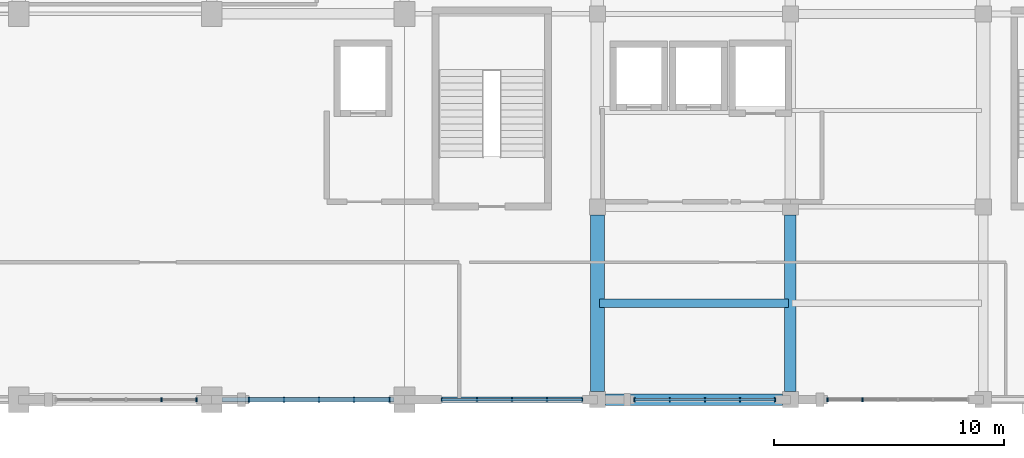
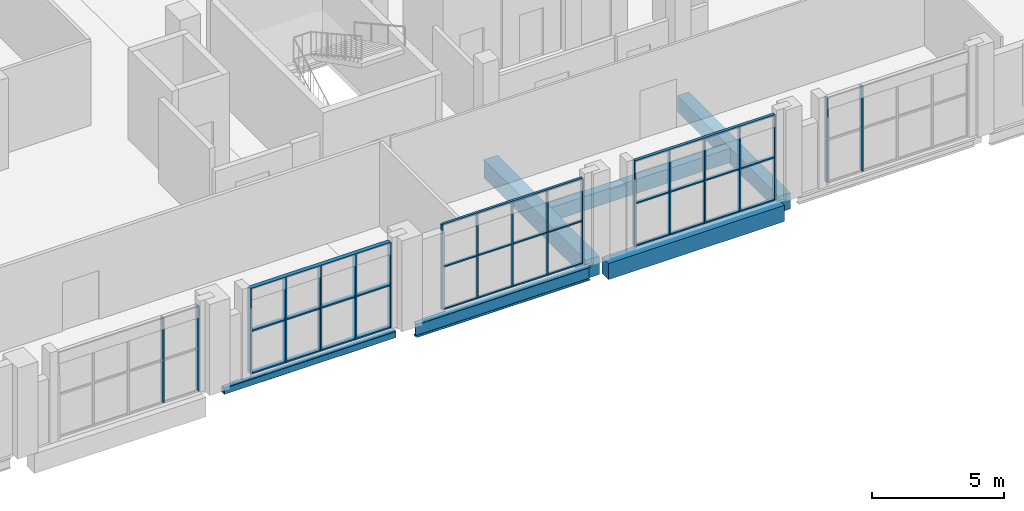
# One storey, part 19 of 64: 28 members, 6 beams, 5 elements without a shape of their own.
"""IFC4 building model written with IfcOpenShell, lengths in metres."""

from ifc_helpers import new_model, si_unit, derived_unit, direction, frame, origin, origin_2d, place, context, subcontext, project, spatial, rectangle, hollow_rectangle, i_section, extrude, material, material_profile, profile_set, type_object, element, aggregate, save


model = new_model("IFC4")

# Units and contexts
model_context = context("Model", 3, precision=1e-05, world=origin(), true_north=direction((0.0, 1.0)))
body_context = subcontext(model_context, "Body", "Model", "MODEL_VIEW")
ifc_project = project(units=[si_unit("LENGTHUNIT", "METRE"), si_unit("AREAUNIT", "SQUARE_METRE"), si_unit("VOLUMEUNIT", "CUBIC_METRE"), si_unit("PLANEANGLEUNIT", "RADIAN"), si_unit("MASSUNIT", "GRAM", prefix="KILO"), derived_unit("THERMALTRANSMITTANCEUNIT", [(si_unit("POWERUNIT", "WATT"), 1), (si_unit("LENGTHUNIT", "METRE"), -2), (si_unit("THERMODYNAMICTEMPERATUREUNIT", "KELVIN"), -1)])], contexts=[model_context])

# Site, building, storey
site_placement = place(None, origin())
site = spatial("IfcSite", under=ifc_project, at=site_placement, CompositionType="ELEMENT")
building_placement = place(site_placement, origin())
building = spatial("IfcBuilding", under=site, at=building_placement, Name="Barrovel Congress Hotel", CompositionType="ELEMENT")
storey_placement = place(building_placement, frame((0.0, 0.0, 14.10009765625)))
storey = spatial("IfcBuildingStorey", under=building, at=storey_placement, Name="L03", CompositionType="ELEMENT", Elevation=14.10009765625)

# Beams
ifc_material_1 = material(Name="Concrete C40", Category="concrete")
ifc_material_profile_1 = material_profile(ifc_material_1, rectangle(XDim=0.35009765625, YDim=0.64990234375, at=origin_2d()), Name="RC350x650")
ifc_profile_set_1 = profile_set([ifc_material_profile_1], Name="Concrete C40")
beam_type_1 = type_object("IfcBeamType", Name="BM-RC350x650", PredefinedType="JOIST", material=ifc_profile_set_1)
beam_1_placement = place(storey_placement, frame((84.080078125, 8.39990234375, -0.565185546875), z_axis=(1.0, 0.0, 0.0), x_axis=(0.0, 1.0, 0.0)))
element("IfcBeam", 1, at=beam_1_placement, inside=storey, type_object=beam_type_1, Name="JST:L03:84.0:8.4", PredefinedType="JOIST", context=body_context, shape_type="SweptSolid", body=[
    extrude(rectangle(XDim=0.35009765625, YDim=0.64990234375, at=origin_2d()), origin(), (0.0, 0.0, 1.0), 8.239990234375),
])
ifc_material_profile_2 = material_profile(ifc_material_1, rectangle(XDim=0.5, YDim=0.75, at=origin_2d()), Name="RC500x750")
ifc_profile_set_2 = profile_set([ifc_material_profile_2], Name="Concrete C40")
beam_type_2 = type_object("IfcBeamType", Name="BM-RC500x750", PredefinedType="BEAM", material=ifc_profile_set_2)
for number, where, z_axis, x_axis, name in (
    (2, (84.35009765625, 4.199951171875, -0.614990234375), (1.0, 0.0, 0.0), (0.0, 1.0, 0.0), "BMX:L03:4.2:84.0-92.4"),
    (3, (92.39990234375, 4.550048828125, -0.614990234375), (0.0, 1.0, 0.0), (-1.0, 0.0, 0.0), "BMY:L03:92.4:4.2-12.6"),
):
    element("IfcBeam", number, at=place(storey_placement, frame(where, z_axis=z_axis, x_axis=x_axis)), inside=storey, type_object=beam_type_2, Name=name, PredefinedType="BEAM", context=body_context, shape_type="SweptSolid", body=[
        extrude(rectangle(XDim=0.5, YDim=0.75, at=origin_2d()), origin(), (0.0, 0.0, 1.0), 7.699951171875),
    ])
ifc_material_profile_3 = material_profile(ifc_material_1, rectangle(XDim=0.60009765625, YDim=0.85009765625, at=origin_2d()), Name="RC600x850")
ifc_profile_set_3 = profile_set([ifc_material_profile_3], Name="Concrete C40")
beam_type_3 = type_object("IfcBeamType", Name="BM-RC600x850", PredefinedType="BEAM", material=ifc_profile_set_3)
beam_2_placement = place(storey_placement, frame((84.0, 4.550048828125, -0.6650390625), z_axis=(0.0, 1.0, 0.0), x_axis=(-1.0, 0.0, 0.0)))
element("IfcBeam", 4, at=beam_2_placement, inside=storey, type_object=beam_type_3, Name="BMY:L03:84.0:4.2-12.6", PredefinedType="BEAM", context=body_context, shape_type="SweptSolid", body=[
    extrude(rectangle(XDim=0.60009765625, YDim=0.85009765625, at=origin_2d()), origin(), (0.0, 0.0, 1.0), 7.699951171875),
])

# Curtain wall, members
ifc_material_2 = material(Name="Anodised Aluminium Alloy 6063-T6", Category="aluminium")
curtain_wall_type = type_object("IfcCurtainWallType", Name="CW-ST-7200x3600", PredefinedType="USERDEFINED", material=ifc_material_2)
curtain_wall_1_placement = place(storey_placement, origin())
curtain_wall_1 = element("IfcCurtainWall", 5, at=curtain_wall_1_placement, inside=storey, type_object=curtain_wall_type, Name="CW:L03:S:09", ObjectType="STICK CURTAIN WALL", PredefinedType="USERDEFINED")
ifc_material_profile_4 = material_profile(ifc_material_2, rectangle(XDim=0.06005859375, YDim=0.139892578125, at=origin_2d()), Name="AL-M60x140")
ifc_profile_set_4 = profile_set([ifc_material_profile_4], Name="Anodised Aluminium Alloy 6063-T6")
member_type_1 = type_object("IfcMemberType", Name="CWM-AL-M60x140", PredefinedType="MULLION", material=ifc_profile_set_4)
member_1_placement = place(storey_placement, frame((77.219970703125, 4.199951171875, 0.0), z_axis=(0.0, 0.0, 1.0), x_axis=(1.0, 0.0, 0.0)))
member_1 = element("IfcMember", 6, at=member_1_placement, type_object=member_type_1, Name="CW:L03:S:09:M0", PredefinedType="MULLION", context=body_context, shape_type="SweptSolid", body=[
    extrude(rectangle(XDim=0.06005859375, YDim=0.139892578125, at=origin_2d()), origin(), (0.0, 0.0, 1.0), 3.919921875),
])
member_2_placement = place(storey_placement, frame((78.75, 4.199951171875, 0.0), z_axis=(0.0, 0.0, 1.0), x_axis=(1.0, 0.0, 0.0)))
member_2 = element("IfcMember", 7, at=member_2_placement, type_object=member_type_1, Name="CW:L03:S:09:M1", PredefinedType="MULLION", context=body_context, shape_type="SweptSolid", body=[
    extrude(rectangle(XDim=0.06005859375, YDim=0.139892578125, at=origin_2d()), origin(), (0.0, 0.0, 1.0), 3.919921875),
])
member_3_placement = place(storey_placement, frame((80.280029296875, 4.199951171875, 0.0), z_axis=(0.0, 0.0, 1.0), x_axis=(1.0, 0.0, 0.0)))
member_3 = element("IfcMember", 8, at=member_3_placement, type_object=member_type_1, Name="CW:L03:S:09:M2", PredefinedType="MULLION", context=body_context, shape_type="SweptSolid", body=[
    extrude(rectangle(XDim=0.06005859375, YDim=0.139892578125, at=origin_2d()), origin(), (0.0, 0.0, 1.0), 3.919921875),
])
member_4_placement = place(storey_placement, frame((81.81005859375, 4.199951171875, 0.0), z_axis=(0.0, 0.0, 1.0), x_axis=(1.0, 0.0, 0.0)))
member_4 = element("IfcMember", 9, at=member_4_placement, type_object=member_type_1, Name="CW:L03:S:09:M3", PredefinedType="MULLION", context=body_context, shape_type="SweptSolid", body=[
    extrude(rectangle(XDim=0.06005859375, YDim=0.139892578125, at=origin_2d()), origin(), (0.0, 0.0, 1.0), 3.919921875),
])
member_5_placement = place(storey_placement, frame((83.340087890625, 4.199951171875, 0.0), z_axis=(0.0, 0.0, 1.0), x_axis=(1.0, 0.0, 0.0)))
member_5 = element("IfcMember", 10, at=member_5_placement, type_object=member_type_1, Name="CW:L03:S:09:M4", PredefinedType="MULLION", context=body_context, shape_type="SweptSolid", body=[
    extrude(rectangle(XDim=0.06005859375, YDim=0.139892578125, at=origin_2d()), origin(), (0.0, 0.0, 1.0), 3.919921875),
])

curtain_wall_2_placement = place(storey_placement, origin())
curtain_wall_2 = element("IfcCurtainWall", 11, at=curtain_wall_2_placement, inside=storey, type_object=curtain_wall_type, Name="CW:L03:S:10", ObjectType="STICK CURTAIN WALL", PredefinedType="USERDEFINED")
ifc_material_profile_5 = material_profile(ifc_material_2, rectangle(XDim=0.06005859375, YDim=0.1650390625, at=origin_2d()), Name="AL-M60x165")
ifc_profile_set_5 = profile_set([ifc_material_profile_5], Name="Anodised Aluminium Alloy 6063-T6")
member_type_2 = type_object("IfcMemberType", Name="CWM-AL-M60x165", PredefinedType="MULLION", material=ifc_profile_set_5)
member_6_placement = place(storey_placement, frame((85.6201171875, 4.199951171875, 0.0), z_axis=(0.0, 0.0, 1.0), x_axis=(1.0, 0.0, 0.0)))
member_6 = element("IfcMember", 12, at=member_6_placement, type_object=member_type_2, Name="CW:L03:S:10:M0", PredefinedType="MULLION", context=body_context, shape_type="SweptSolid", body=[
    extrude(rectangle(XDim=0.06005859375, YDim=0.1650390625, at=origin_2d()), origin(), (0.0, 0.0, 1.0), 3.919921875),
])
member_7_placement = place(storey_placement, frame((87.14990234375, 4.199951171875, 0.0), z_axis=(0.0, 0.0, 1.0), x_axis=(1.0, 0.0, 0.0)))
member_7 = element("IfcMember", 13, at=member_7_placement, type_object=member_type_2, Name="CW:L03:S:10:M1", PredefinedType="MULLION", context=body_context, shape_type="SweptSolid", body=[
    extrude(rectangle(XDim=0.06005859375, YDim=0.1650390625, at=origin_2d()), origin(), (0.0, 0.0, 1.0), 3.919921875),
])
member_8_placement = place(storey_placement, frame((88.679931640625, 4.199951171875, 0.0), z_axis=(0.0, 0.0, 1.0), x_axis=(1.0, 0.0, 0.0)))
member_8 = element("IfcMember", 14, at=member_8_placement, type_object=member_type_2, Name="CW:L03:S:10:M2", PredefinedType="MULLION", context=body_context, shape_type="SweptSolid", body=[
    extrude(rectangle(XDim=0.06005859375, YDim=0.1650390625, at=origin_2d()), origin(), (0.0, 0.0, 1.0), 3.919921875),
])
member_9_placement = place(storey_placement, frame((90.2099609375, 4.199951171875, 0.0), z_axis=(0.0, 0.0, 1.0), x_axis=(1.0, 0.0, 0.0)))
member_9 = element("IfcMember", 15, at=member_9_placement, type_object=member_type_2, Name="CW:L03:S:10:M3", PredefinedType="MULLION", context=body_context, shape_type="SweptSolid", body=[
    extrude(rectangle(XDim=0.06005859375, YDim=0.1650390625, at=origin_2d()), origin(), (0.0, 0.0, 1.0), 3.919921875),
])
member_10_placement = place(storey_placement, frame((91.739990234375, 4.199951171875, 0.0), z_axis=(0.0, 0.0, 1.0), x_axis=(1.0, 0.0, 0.0)))
member_10 = element("IfcMember", 16, at=member_10_placement, type_object=member_type_2, Name="CW:L03:S:10:M4", PredefinedType="MULLION", context=body_context, shape_type="SweptSolid", body=[
    extrude(rectangle(XDim=0.06005859375, YDim=0.1650390625, at=origin_2d()), origin(), (0.0, 0.0, 1.0), 3.919921875),
])

curtain_wall_3_placement = place(storey_placement, origin())
curtain_wall_3 = element("IfcCurtainWall", 17, at=curtain_wall_3_placement, inside=storey, type_object=curtain_wall_type, Name="CW:L03:S:07", ObjectType="STICK CURTAIN WALL", PredefinedType="USERDEFINED")
ifc_material_profile_6 = material_profile(ifc_material_2, rectangle(XDim=0.06494140625, YDim=0.18994140625, at=origin_2d()), Name="AL-M65x190")
ifc_profile_set_6 = profile_set([ifc_material_profile_6], Name="Anodised Aluminium Alloy 6063-T6")
member_type_3 = type_object("IfcMemberType", Name="CWM-AL-M65x190", PredefinedType="MULLION", material=ifc_profile_set_6)
member_11_placement = place(storey_placement, frame((65.010009765625, 4.199951171875, 0.0), z_axis=(0.0, 0.0, 1.0), x_axis=(1.0, 0.0, 0.0)))
member_11 = element("IfcMember", 18, at=member_11_placement, type_object=member_type_3, Name="CW:L03:S:07:M3", PredefinedType="MULLION", context=body_context, shape_type="SweptSolid", body=[
    extrude(rectangle(XDim=0.06494140625, YDim=0.18994140625, at=origin_2d()), origin(), (0.0, 0.0, 1.0), 3.919921875),
])
member_12_placement = place(storey_placement, frame((66.5400390625, 4.199951171875, 0.0), z_axis=(0.0, 0.0, 1.0), x_axis=(1.0, 0.0, 0.0)))
member_12 = element("IfcMember", 19, at=member_12_placement, type_object=member_type_3, Name="CW:L03:S:07:M4", PredefinedType="MULLION", context=body_context, shape_type="SweptSolid", body=[
    extrude(rectangle(XDim=0.06494140625, YDim=0.18994140625, at=origin_2d()), origin(), (0.0, 0.0, 1.0), 3.919921875),
])
aggregate(curtain_wall_3, [member_11, member_12])

curtain_wall_4_placement = place(storey_placement, origin())
curtain_wall_4 = element("IfcCurtainWall", 20, at=curtain_wall_4_placement, inside=storey, type_object=curtain_wall_type, Name="CW:L03:S:11", ObjectType="STICK CURTAIN WALL", PredefinedType="USERDEFINED")
member_13_placement = place(storey_placement, frame((94.02001953125, 4.199951171875, 0.0), z_axis=(0.0, 0.0, 1.0), x_axis=(1.0, 0.0, 0.0)))
member_13 = element("IfcMember", 21, at=member_13_placement, type_object=member_type_3, Name="CW:L03:S:11:M0", PredefinedType="MULLION", context=body_context, shape_type="SweptSolid", body=[
    extrude(rectangle(XDim=0.06494140625, YDim=0.18994140625, at=origin_2d()), origin(), (0.0, 0.0, 1.0), 3.919921875),
])
member_14_placement = place(storey_placement, frame((95.550048828125, 4.199951171875, 0.0), z_axis=(0.0, 0.0, 1.0), x_axis=(1.0, 0.0, 0.0)))
member_14 = element("IfcMember", 22, at=member_14_placement, type_object=member_type_3, Name="CW:L03:S:11:M1", PredefinedType="MULLION", context=body_context, shape_type="SweptSolid", body=[
    extrude(rectangle(XDim=0.06494140625, YDim=0.18994140625, at=origin_2d()), origin(), (0.0, 0.0, 1.0), 3.919921875),
])
aggregate(curtain_wall_4, [member_13, member_14])

curtain_wall_5_placement = place(storey_placement, origin())
curtain_wall_5 = element("IfcCurtainWall", 23, at=curtain_wall_5_placement, inside=storey, type_object=curtain_wall_type, Name="CW:L03:S:08", ObjectType="STICK CURTAIN WALL", PredefinedType="USERDEFINED")
ifc_material_profile_7 = material_profile(ifc_material_2, rectangle(XDim=0.06494140625, YDim=0.219970703125, at=origin_2d()), Name="AL-M65x220")
ifc_profile_set_7 = profile_set([ifc_material_profile_7], Name="Anodised Aluminium Alloy 6063-T6")
member_type_4 = type_object("IfcMemberType", Name="CWM-AL-M65x220", PredefinedType="MULLION", material=ifc_profile_set_7)
member_15_placement = place(storey_placement, frame((68.820068359375, 4.199951171875, 0.0), z_axis=(0.0, 0.0, 1.0), x_axis=(1.0, 0.0, 0.0)))
member_15 = element("IfcMember", 24, at=member_15_placement, type_object=member_type_4, Name="CW:L03:S:08:M0", PredefinedType="MULLION", context=body_context, shape_type="SweptSolid", body=[
    extrude(rectangle(XDim=0.06494140625, YDim=0.219970703125, at=origin_2d()), origin(), (0.0, 0.0, 1.0), 3.919921875),
])
member_16_placement = place(storey_placement, frame((70.35009765625, 4.199951171875, 0.0), z_axis=(0.0, 0.0, 1.0), x_axis=(1.0, 0.0, 0.0)))
member_16 = element("IfcMember", 25, at=member_16_placement, type_object=member_type_4, Name="CW:L03:S:08:M1", PredefinedType="MULLION", context=body_context, shape_type="SweptSolid", body=[
    extrude(rectangle(XDim=0.06494140625, YDim=0.219970703125, at=origin_2d()), origin(), (0.0, 0.0, 1.0), 3.919921875),
])
member_17_placement = place(storey_placement, frame((71.8798828125, 4.199951171875, 0.0), z_axis=(0.0, 0.0, 1.0), x_axis=(1.0, 0.0, 0.0)))
member_17 = element("IfcMember", 26, at=member_17_placement, type_object=member_type_4, Name="CW:L03:S:08:M2", PredefinedType="MULLION", context=body_context, shape_type="SweptSolid", body=[
    extrude(rectangle(XDim=0.06494140625, YDim=0.219970703125, at=origin_2d()), origin(), (0.0, 0.0, 1.0), 3.919921875),
])
member_18_placement = place(storey_placement, frame((73.409912109375, 4.199951171875, 0.0), z_axis=(0.0, 0.0, 1.0), x_axis=(1.0, 0.0, 0.0)))
member_18 = element("IfcMember", 27, at=member_18_placement, type_object=member_type_4, Name="CW:L03:S:08:M3", PredefinedType="MULLION", context=body_context, shape_type="SweptSolid", body=[
    extrude(rectangle(XDim=0.06494140625, YDim=0.219970703125, at=origin_2d()), origin(), (0.0, 0.0, 1.0), 3.919921875),
])
member_19_placement = place(storey_placement, frame((74.93994140625, 4.199951171875, 0.0), z_axis=(0.0, 0.0, 1.0), x_axis=(1.0, 0.0, 0.0)))
member_19 = element("IfcMember", 28, at=member_19_placement, type_object=member_type_4, Name="CW:L03:S:08:M4", PredefinedType="MULLION", context=body_context, shape_type="SweptSolid", body=[
    extrude(rectangle(XDim=0.06494140625, YDim=0.219970703125, at=origin_2d()), origin(), (0.0, 0.0, 1.0), 3.919921875),
])

# Member
ifc_material_profile_8 = material_profile(ifc_material_2, rectangle(XDim=0.10498046875, YDim=0.06005859375, at=origin_2d()), Name="AL-T60x105")
ifc_profile_set_8 = profile_set([ifc_material_profile_8], Name="Anodised Aluminium Alloy 6063-T6")
member_type_5 = type_object("IfcMemberType", Name="CWT-AL-T60x105", PredefinedType="USERDEFINED", material=ifc_profile_set_8)
member_20_placement = place(storey_placement, frame((77.219970703125, 4.199951171875, 0.0), z_axis=(1.0, 0.0, 0.0), x_axis=(0.0, 1.0, 0.0)))
member_20 = element("IfcMember", 29, at=member_20_placement, type_object=member_type_5, Name="CW:L03:S:09:T0", ObjectType="TRANSOM", PredefinedType="USERDEFINED", context=body_context, shape_type="SweptSolid", body=[
    extrude(rectangle(XDim=0.10498046875, YDim=0.06005859375, at=origin_2d()), origin(), (0.0, 0.0, 1.0), 6.1201171875),
])

member_21_placement = place(storey_placement, frame((77.219970703125, 4.199951171875, 1.9599609375), z_axis=(1.0, 0.0, 0.0), x_axis=(0.0, 1.0, 0.0)))
member_21 = element("IfcMember", 30, at=member_21_placement, type_object=member_type_5, Name="CW:L03:S:09:T1", ObjectType="TRANSOM", PredefinedType="USERDEFINED", context=body_context, shape_type="SweptSolid", body=[
    extrude(rectangle(XDim=0.10498046875, YDim=0.06005859375, at=origin_2d()), origin(), (0.0, 0.0, 1.0), 6.1201171875),
])

member_22_placement = place(storey_placement, frame((77.219970703125, 4.199951171875, 3.919921875), z_axis=(1.0, 0.0, 0.0), x_axis=(0.0, 1.0, 0.0)))
member_22 = element("IfcMember", 31, at=member_22_placement, type_object=member_type_5, Name="CW:L03:S:09:T2", ObjectType="TRANSOM", PredefinedType="USERDEFINED", context=body_context, shape_type="SweptSolid", body=[
    extrude(rectangle(XDim=0.10498046875, YDim=0.06005859375, at=origin_2d()), origin(), (0.0, 0.0, 1.0), 6.1201171875),
])

aggregate(curtain_wall_1, [member_1, member_2, member_3, member_4, member_5, member_20, member_21, member_22])

ifc_material_profile_9 = material_profile(ifc_material_2, rectangle(XDim=0.125, YDim=0.06005859375, at=origin_2d()), Name="AL-T60x125")
ifc_profile_set_9 = profile_set([ifc_material_profile_9], Name="Anodised Aluminium Alloy 6063-T6")
member_type_6 = type_object("IfcMemberType", Name="CWT-AL-T60x125", PredefinedType="USERDEFINED", material=ifc_profile_set_9)
member_23_placement = place(storey_placement, frame((85.6201171875, 4.199951171875, 0.0), z_axis=(1.0, 0.0, 0.0), x_axis=(0.0, 1.0, 0.0)))
member_23 = element("IfcMember", 32, at=member_23_placement, type_object=member_type_6, Name="CW:L03:S:10:T0", ObjectType="TRANSOM", PredefinedType="USERDEFINED", context=body_context, shape_type="SweptSolid", body=[
    extrude(rectangle(XDim=0.125, YDim=0.06005859375, at=origin_2d()), origin(), (0.0, 0.0, 1.0), 6.119873046875),
])

member_24_placement = place(storey_placement, frame((85.6201171875, 4.199951171875, 1.9599609375), z_axis=(1.0, 0.0, 0.0), x_axis=(0.0, 1.0, 0.0)))
member_24 = element("IfcMember", 33, at=member_24_placement, type_object=member_type_6, Name="CW:L03:S:10:T1", ObjectType="TRANSOM", PredefinedType="USERDEFINED", context=body_context, shape_type="SweptSolid", body=[
    extrude(rectangle(XDim=0.125, YDim=0.06005859375, at=origin_2d()), origin(), (0.0, 0.0, 1.0), 6.119873046875),
])

member_25_placement = place(storey_placement, frame((85.6201171875, 4.199951171875, 3.919921875), z_axis=(1.0, 0.0, 0.0), x_axis=(0.0, 1.0, 0.0)))
member_25 = element("IfcMember", 34, at=member_25_placement, type_object=member_type_6, Name="CW:L03:S:10:T2", ObjectType="TRANSOM", PredefinedType="USERDEFINED", context=body_context, shape_type="SweptSolid", body=[
    extrude(rectangle(XDim=0.125, YDim=0.06005859375, at=origin_2d()), origin(), (0.0, 0.0, 1.0), 6.119873046875),
])

aggregate(curtain_wall_2, [member_6, member_7, member_8, member_9, member_10, member_23, member_24, member_25])

ifc_material_profile_10 = material_profile(ifc_material_2, rectangle(XDim=0.179931640625, YDim=0.06494140625, at=origin_2d()), Name="AL-T65x180")
ifc_profile_set_10 = profile_set([ifc_material_profile_10], Name="Anodised Aluminium Alloy 6063-T6")
member_type_7 = type_object("IfcMemberType", Name="CWT-AL-T65x180", PredefinedType="USERDEFINED", material=ifc_profile_set_10)
member_26_placement = place(storey_placement, frame((68.820068359375, 4.199951171875, 0.0), z_axis=(1.0, 0.0, 0.0), x_axis=(0.0, 1.0, 0.0)))
member_26 = element("IfcMember", 35, at=member_26_placement, type_object=member_type_7, Name="CW:L03:S:08:T0", ObjectType="TRANSOM", PredefinedType="USERDEFINED", context=body_context, shape_type="SweptSolid", body=[
    extrude(rectangle(XDim=0.179931640625, YDim=0.06494140625, at=origin_2d()), origin(), (0.0, 0.0, 1.0), 6.119873046875),
])

member_27_placement = place(storey_placement, frame((68.820068359375, 4.199951171875, 1.9599609375), z_axis=(1.0, 0.0, 0.0), x_axis=(0.0, 1.0, 0.0)))
member_27 = element("IfcMember", 36, at=member_27_placement, type_object=member_type_7, Name="CW:L03:S:08:T1", ObjectType="TRANSOM", PredefinedType="USERDEFINED", context=body_context, shape_type="SweptSolid", body=[
    extrude(rectangle(XDim=0.179931640625, YDim=0.06494140625, at=origin_2d()), origin(), (0.0, 0.0, 1.0), 6.119873046875),
])

member_28_placement = place(storey_placement, frame((68.820068359375, 4.199951171875, 3.919921875), z_axis=(1.0, 0.0, 0.0), x_axis=(0.0, 1.0, 0.0)))
member_28 = element("IfcMember", 37, at=member_28_placement, type_object=member_type_7, Name="CW:L03:S:08:T2", ObjectType="TRANSOM", PredefinedType="USERDEFINED", context=body_context, shape_type="SweptSolid", body=[
    extrude(rectangle(XDim=0.179931640625, YDim=0.06494140625, at=origin_2d()), origin(), (0.0, 0.0, 1.0), 6.119873046875),
])

aggregate(curtain_wall_5, [member_15, member_16, member_17, member_18, member_19, member_26, member_27, member_28])

# Beams
ifc_material_3 = material(Name="Steel ASTM A500 Grade C", Category="steel")
ifc_material_profile_11 = material_profile(ifc_material_3, hollow_rectangle(XDim=0.203125, YDim=0.3046875, WallThickness=0.01171875, InnerFilletRadius=0.01171875, OuterFilletRadius=0.023681640625, at=origin_2d()), Name="HSS305x203x12.7")
ifc_profile_set_11 = profile_set([ifc_material_profile_11], Name="Steel ASTM A500 Grade C")
beam_type_4 = type_object("IfcBeamType", Name="SBM-HSS305x203x12.7", PredefinedType="SPANDREL", material=ifc_profile_set_11)
beam_3_placement = place(storey_placement, frame((67.64990234375, 4.199951171875, -0.392578125), z_axis=(1.0, 0.0, 0.0), x_axis=(0.0, 1.0, 0.0)))
element("IfcBeam", 38, at=beam_3_placement, inside=storey, type_object=beam_type_4, Name="BMX:L03:4.2:67.2-75.6", PredefinedType="SPANDREL", context=body_context, shape_type="SweptSolid", body=[
    extrude(hollow_rectangle(XDim=0.203125, YDim=0.3046875, WallThickness=0.01171875, InnerFilletRadius=0.01171875, OuterFilletRadius=0.023681640625, at=origin_2d()), origin(), (0.0, 0.0, 1.0), 7.5),
])
ifc_material_4 = material(Name="Steel ASTM A992 Grade 50", Category="steel")
ifc_material_profile_12 = material_profile(ifc_material_4, i_section(OverallWidth=0.22802734375, OverallDepth=0.60302734375, WebThickness=0.010498046875, FlangeThickness=0.014892578125, FilletRadius=0.014892578125, at=origin_2d()), Name="W610x101")
ifc_profile_set_12 = profile_set([ifc_material_profile_12], Name="Steel ASTM A992 Grade 50")
beam_type_5 = type_object("IfcBeamType", Name="SBM-W610x101", PredefinedType="BEAM", material=ifc_profile_set_12)
beam_4_placement = place(storey_placement, frame((76.050048828125, 4.199951171875, -0.54150390625), z_axis=(1.0, 0.0, 0.0), x_axis=(0.0, 1.0, 0.0)))
element("IfcBeam", 39, at=beam_4_placement, inside=storey, type_object=beam_type_5, Name="BMX:L03:4.2:75.6-84.0", PredefinedType="BEAM", context=body_context, shape_type="SweptSolid", body=[
    extrude(i_section(OverallWidth=0.22802734375, OverallDepth=0.60302734375, WebThickness=0.010498046875, FlangeThickness=0.014892578125, FilletRadius=0.014892578125, at=origin_2d()), origin(), (0.0, 0.0, 1.0), 7.599853515625),
])

save(model, "model.ifc")
